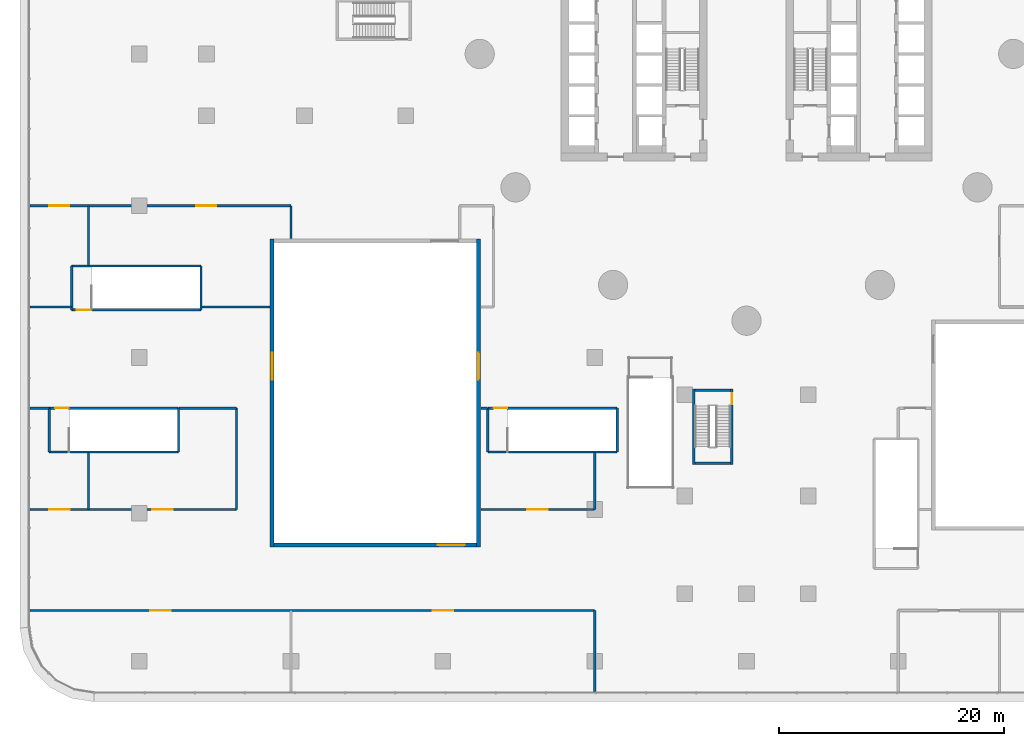
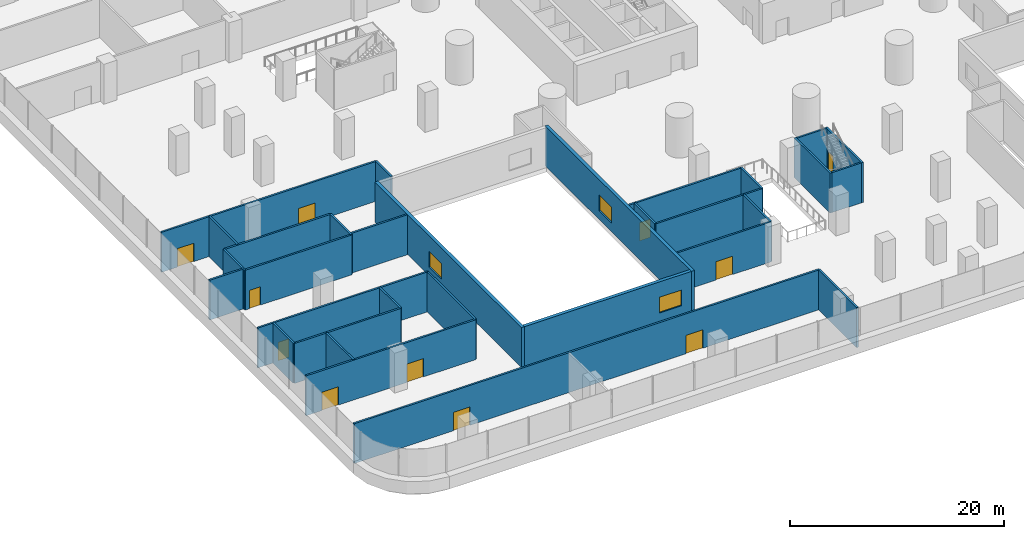
# One storey, part 23 of 38: 34 walls, 11 doors, 3 windows, 14 openings.
"""IFC4 building model written with IfcOpenShell, lengths in metres."""

from ifc_helpers import new_model, si_unit, direction, frame, frame_2d, origin, place, context, subcontext, project, spatial, polyline, rectangle, outline, extrude, material, layer, layer_set, type_object, element, fill, save


model = new_model("IFC4")

# Units and contexts
model_context = context("Model", 3, precision=1e-05, world=origin(), true_north=direction((0.0, 1.0)))
body_context = subcontext(model_context, "Body", "Model", "MODEL_VIEW")
ifc_project = project(units=[si_unit("LENGTHUNIT", "METRE"), si_unit("AREAUNIT", "SQUARE_METRE"), si_unit("VOLUMEUNIT", "CUBIC_METRE"), si_unit("PLANEANGLEUNIT", "RADIAN"), si_unit("MASSUNIT", "GRAM", prefix="KILO")], contexts=[model_context])

# Site, building, storey
site_placement = place(None, origin())
site = spatial("IfcSite", under=ifc_project, at=site_placement, CompositionType="ELEMENT")
building_placement = place(site_placement, origin())
building = spatial("IfcBuilding", under=site, at=building_placement, Name="Tamarind Cross Interchange Tower", CompositionType="ELEMENT")
storey_placement = place(building_placement, frame((0.0, 0.0, 20.0)))
storey = spatial("IfcBuildingStorey", under=building, at=storey_placement, Name="L03", CompositionType="ELEMENT", Elevation=20.0)

# Wall, openings, doors
ifc_material_1 = material(Name="Masonry partition, fire-rated", Category="masonry")
ifc_layer_1 = layer(ifc_material_1, 0.199951171875)
ifc_layer_set_1 = layer_set([ifc_layer_1], Name="Masonry partition, fire-rated")
wall_type_1 = type_object("IfcWallType", Name="Fire partition 200 EI 120", PredefinedType="PARTITIONING", material=ifc_layer_set_1)
wall_1_placement = place(storey_placement, frame((-63.698974609375, -49.5, 0.0), z_axis=(0.0, 0.0, 1.0), x_axis=(1.0, 0.0, 0.0)))
wall_1 = element("IfcWall", 1, at=wall_1_placement, inside=storey, type_object=wall_type_1, Name="L03 partition 49", PredefinedType="PARTITIONING", context=body_context, shape_type="SweptSolid", body=[
    extrude(rectangle(XDim=50.198974609375, YDim=0.199951171875, at=frame_2d((25.099609375, 0.0))), origin(), (0.0, 0.0, 1.0), 4.550048828125),
])
opening_1_placement = place(wall_1_placement, frame((35.80908203125, 0.0, 0.0)))
opening_1 = element("IfcOpeningElement", 2, at=opening_1_placement, cuts=wall_1, Name="Opening DL03-38", PredefinedType="OPENING", context=body_context, shape_type="SweptSolid", body=[
    extrude(rectangle(XDim=1.800048828125, YDim=2.10009765625, at=frame_2d((0.89990234375, 1.050048828125))), frame((0.0, 0.10986328125, 0.0), z_axis=(0.0, -1.0, 0.0), x_axis=(1.0, 0.0, 0.0)), (0.0, 0.0, 1.0), 0.219970703125),
])
opening_2_placement = place(wall_1_placement, frame((10.68896484375, 0.0, 0.0)))
opening_2 = element("IfcOpeningElement", 3, at=opening_2_placement, cuts=wall_1, Name="Opening DL03-39", PredefinedType="OPENING", context=body_context, shape_type="SweptSolid", body=[
    extrude(rectangle(XDim=1.800048828125, YDim=2.10009765625, at=frame_2d((0.89990234375, 1.050048828125))), frame((0.0, 0.10986328125, 0.0), z_axis=(0.0, -1.0, 0.0), x_axis=(1.0, 0.0, 0.0)), (0.0, 0.0, 1.0), 0.219970703125),
])
ifc_material_2 = material(Name="Steel, fire-resisting", Category="steel")
door_type_1 = type_object("IfcDoorType", Name="Podium door 1800 x 2100 FD60", OperationType="SINGLE_SWING_LEFT", PredefinedType="DOOR", material=ifc_material_2)
door_1_placement = place(opening_1_placement, origin())
door_1 = element("IfcDoor", 4, at=door_1_placement, inside=storey, type_object=door_type_1, Name="L03 door Health Clinic 0323", OperationType="SINGLE_SWING_RIGHT", OverallHeight=2.10009765625, OverallWidth=1.800048828125, PredefinedType="DOOR", context=body_context, shape_type="SweptSolid", body=[
    extrude(rectangle(XDim=1.800048828125, YDim=2.10009765625, at=frame_2d((0.89990234375, 1.050048828125))), frame((0.0, 0.02490234375, 0.0), z_axis=(0.0, -1.0, 0.0), x_axis=(1.0, 0.0, 0.0)), (0.0, 0.0, 1.0), 0.050048828125),
])
fill(opening_1, door_1)
door_2_placement = place(opening_2_placement, origin())
door_2 = element("IfcDoor", 5, at=door_2_placement, inside=storey, type_object=door_type_1, Name="L03 door Childcare Room 0324", OperationType="SINGLE_SWING_LEFT", OverallHeight=2.10009765625, OverallWidth=1.800048828125, PredefinedType="DOOR", context=body_context, shape_type="SweptSolid", body=[
    extrude(rectangle(XDim=1.800048828125, YDim=2.10009765625, at=frame_2d((0.89990234375, 1.050048828125))), frame((0.0, 0.02490234375, 0.0), z_axis=(0.0, -1.0, 0.0), x_axis=(1.0, 0.0, 0.0)), (0.0, 0.0, 1.0), 0.050048828125),
])
fill(opening_2, door_2)

wall_2_placement = place(storey_placement, frame((-63.698974609375, -40.5, 0.0), z_axis=(0.0, 0.0, 1.0), x_axis=(1.0, 0.0, 0.0)))
wall_2 = element("IfcWall", 6, at=wall_2_placement, inside=storey, type_object=wall_type_1, Name="L03 partition 50", PredefinedType="PARTITIONING", context=body_context, shape_type="SweptSolid", body=[
    extrude(rectangle(XDim=18.348876953125, YDim=0.199951171875, at=frame_2d((9.17431640625, 0.0))), origin(), (0.0, 0.0, 1.0), 4.550048828125),
])
opening_3_placement = place(wall_2_placement, frame((1.708984375, 0.0, 0.0)))
opening_3 = element("IfcOpeningElement", 7, at=opening_3_placement, cuts=wall_2, Name="Opening DL03-37", PredefinedType="OPENING", context=body_context, shape_type="SweptSolid", body=[
    extrude(rectangle(XDim=1.800048828125, YDim=2.10009765625, at=frame_2d((0.89990234375, 1.050048828125))), frame((0.0, 0.10986328125, 0.0), z_axis=(0.0, -1.0, 0.0), x_axis=(1.0, 0.0, 0.0)), (0.0, 0.0, 1.0), 0.219970703125),
])
opening_4_placement = place(wall_2_placement, frame((10.8740234375, 0.0, 0.0)))
opening_4 = element("IfcOpeningElement", 8, at=opening_4_placement, cuts=wall_2, Name="Opening DL03-40", PredefinedType="OPENING", context=body_context, shape_type="SweptSolid", body=[
    extrude(rectangle(XDim=1.800048828125, YDim=2.10009765625, at=frame_2d((0.89990234375, 1.050048828125))), frame((0.0, 0.10986328125, 0.0), z_axis=(0.0, -1.0, 0.0), x_axis=(1.0, 0.0, 0.0)), (0.0, 0.0, 1.0), 0.219970703125),
])
door_3_placement = place(opening_3_placement, origin())
door_3 = element("IfcDoor", 9, at=door_3_placement, inside=storey, type_object=door_type_1, Name="L03 door Training Room 0322", OperationType="SINGLE_SWING_LEFT", OverallHeight=2.10009765625, OverallWidth=1.800048828125, PredefinedType="DOOR", context=body_context, shape_type="SweptSolid", body=[
    extrude(rectangle(XDim=1.800048828125, YDim=2.10009765625, at=frame_2d((0.89990234375, 1.050048828125))), frame((0.0, 0.02490234375, 0.0), z_axis=(0.0, -1.0, 0.0), x_axis=(1.0, 0.0, 0.0)), (0.0, 0.0, 1.0), 0.050048828125),
])
fill(opening_3, door_3)
door_4_placement = place(opening_4_placement, origin())
door_4 = element("IfcDoor", 10, at=door_4_placement, inside=storey, type_object=door_type_1, Name="L03 door Transit Office 0321", OperationType="SINGLE_SWING_RIGHT", OverallHeight=2.10009765625, OverallWidth=1.800048828125, PredefinedType="DOOR", context=body_context, shape_type="SweptSolid", body=[
    extrude(rectangle(XDim=1.800048828125, YDim=2.10009765625, at=frame_2d((0.89990234375, 1.050048828125))), frame((0.0, 0.02490234375, 0.0), z_axis=(0.0, -1.0, 0.0), x_axis=(1.0, 0.0, 0.0)), (0.0, 0.0, 1.0), 0.050048828125),
])
fill(opening_4, door_4)

# Walls
wall_3_placement = place(storey_placement, frame((-63.698974609375, -31.5, 0.0), z_axis=(0.0, 0.0, 1.0), x_axis=(1.0, 0.0, 0.0)))
element("IfcWall", 11, at=wall_3_placement, inside=storey, type_object=wall_type_1, Name="L03 partition 51", PredefinedType="PARTITIONING", context=body_context, shape_type="SweptSolid", body=[
    extrude(rectangle(XDim=1.6689453125, YDim=0.199951171875, at=frame_2d((0.83447265625, 0.0))), origin(), (0.0, 0.0, 1.0), 4.550048828125),
])
wall_4_placement = place(storey_placement, frame((-63.698974609375, -22.5, 0.0), z_axis=(0.0, 0.0, 1.0), x_axis=(1.0, 0.0, 0.0)))
element("IfcWall", 12, at=wall_4_placement, inside=storey, type_object=wall_type_1, Name="L03 partition 52", PredefinedType="PARTITIONING", context=body_context, shape_type="SweptSolid", body=[
    extrude(rectangle(XDim=3.6689453125, YDim=0.199951171875, at=frame_2d((1.83447265625, 0.0))), origin(), (0.0, 0.0, 1.0), 4.550048828125),
])

# Wall, openings, doors
wall_5_placement = place(storey_placement, frame((-63.698974609375, -13.5, 0.0), z_axis=(0.0, 0.0, 1.0), x_axis=(1.0, 0.0, 0.0)))
wall_5 = element("IfcWall", 13, at=wall_5_placement, inside=storey, type_object=wall_type_1, Name="L03 partition 53", PredefinedType="PARTITIONING", context=body_context, shape_type="SweptSolid", body=[
    extrude(rectangle(XDim=23.198974609375, YDim=0.199951171875, at=frame_2d((11.599609375, 0.0))), origin(), (0.0, 0.0, 1.0), 4.550048828125),
])
opening_5_placement = place(wall_5_placement, frame((14.763916015625, 0.0, 0.0)))
opening_5 = element("IfcOpeningElement", 14, at=opening_5_placement, cuts=wall_5, Name="Opening DL03-34", PredefinedType="OPENING", context=body_context, shape_type="SweptSolid", body=[
    extrude(rectangle(XDim=1.800048828125, YDim=2.10009765625, at=frame_2d((0.89990234375, 1.050048828125))), frame((0.0, 0.10986328125, 0.0), z_axis=(0.0, -1.0, 0.0), x_axis=(1.0, 0.0, 0.0)), (0.0, 0.0, 1.0), 0.219970703125),
])
opening_6_placement = place(wall_5_placement, frame((1.68896484375, 0.0, 0.0)))
opening_6 = element("IfcOpeningElement", 15, at=opening_6_placement, cuts=wall_5, Name="Opening DL03-35", PredefinedType="OPENING", context=body_context, shape_type="SweptSolid", body=[
    extrude(rectangle(XDim=1.800048828125, YDim=2.10009765625, at=frame_2d((0.89990234375, 1.050048828125))), frame((0.0, 0.10986328125, 0.0), z_axis=(0.0, -1.0, 0.0), x_axis=(1.0, 0.0, 0.0)), (0.0, 0.0, 1.0), 0.219970703125),
])
door_5_placement = place(opening_5_placement, origin())
door_5 = element("IfcDoor", 16, at=door_5_placement, inside=storey, type_object=door_type_1, Name="L03 door Meeting Hall 0318", OperationType="SINGLE_SWING_RIGHT", OverallHeight=2.10009765625, OverallWidth=1.800048828125, PredefinedType="DOOR", context=body_context, shape_type="SweptSolid", body=[
    extrude(rectangle(XDim=1.800048828125, YDim=2.10009765625, at=frame_2d((0.89990234375, 1.050048828125))), frame((0.0, 0.02490234375, 0.0), z_axis=(0.0, -1.0, 0.0), x_axis=(1.0, 0.0, 0.0)), (0.0, 0.0, 1.0), 0.050048828125),
])
fill(opening_5, door_5)
door_6_placement = place(opening_6_placement, origin())
door_6 = element("IfcDoor", 17, at=door_6_placement, inside=storey, type_object=door_type_1, Name="L03 door Exhibition Gallery 0319", OperationType="SINGLE_SWING_LEFT", OverallHeight=2.10009765625, OverallWidth=1.800048828125, PredefinedType="DOOR", context=body_context, shape_type="SweptSolid", body=[
    extrude(rectangle(XDim=1.800048828125, YDim=2.10009765625, at=frame_2d((0.89990234375, 1.050048828125))), frame((0.0, 0.02490234375, 0.0), z_axis=(0.0, -1.0, 0.0), x_axis=(1.0, 0.0, 0.0)), (0.0, 0.0, 1.0), 0.050048828125),
])
fill(opening_6, door_6)

# Walls
wall_6_placement = place(storey_placement, frame((-50.469970703125, -31.5, 0.0), z_axis=(0.0, 0.0, 1.0), x_axis=(1.0, 0.0, 0.0)))
element("IfcWall", 18, at=wall_6_placement, inside=storey, type_object=wall_type_1, Name="L03 partition 59", PredefinedType="PARTITIONING", context=body_context, shape_type="SweptSolid", body=[
    extrude(rectangle(XDim=5.119873046875, YDim=0.199951171875, at=frame_2d((2.56005859375, 0.0))), origin(), (0.0, 0.0, 1.0), 4.550048828125),
])
wall_7_placement = place(storey_placement, frame((-45.35009765625, -40.5, 0.0), z_axis=(0.0, 0.0, 1.0), x_axis=(0.0, 1.0, 0.0)))
element("IfcWall", 19, at=wall_7_placement, inside=storey, type_object=wall_type_1, Name="L03 partition 60", PredefinedType="PARTITIONING", context=body_context, shape_type="SweptSolid", body=[
    extrude(rectangle(XDim=9.0, YDim=0.199951171875, at=frame_2d((4.5, 0.0))), origin(), (0.0, 0.0, 1.0), 4.550048828125),
])
wall_8_placement = place(storey_placement, frame((-58.5, -40.5, 0.0), z_axis=(0.0, 0.0, 1.0), x_axis=(0.0, 1.0, 0.0)))
element("IfcWall", 20, at=wall_8_placement, inside=storey, type_object=wall_type_1, Name="L03 partition 61", PredefinedType="PARTITIONING", context=body_context, shape_type="SweptSolid", body=[
    extrude(rectangle(XDim=5.070068359375, YDim=0.199951171875, at=frame_2d((2.53515625, 0.0))), origin(), (0.0, 0.0, 1.0), 4.550048828125),
])
wall_9_placement = place(storey_placement, frame((-58.5, -18.820068359375, 0.0), z_axis=(0.0, 0.0, 1.0), x_axis=(0.0, 1.0, 0.0)))
element("IfcWall", 21, at=wall_9_placement, inside=storey, type_object=wall_type_1, Name="L03 partition 62", PredefinedType="PARTITIONING", context=body_context, shape_type="SweptSolid", body=[
    extrude(rectangle(XDim=5.320068359375, YDim=0.199951171875, at=frame_2d((2.66015625, 0.0))), origin(), (0.0, 0.0, 1.0), 4.550048828125),
])
wall_10_placement = place(storey_placement, frame((-40.5, -16.419921875, 0.0), z_axis=(0.0, 0.0, 1.0), x_axis=(0.0, 1.0, 0.0)))
element("IfcWall", 22, at=wall_10_placement, inside=storey, type_object=wall_type_1, Name="L03 partition 63", PredefinedType="PARTITIONING", context=body_context, shape_type="SweptSolid", body=[
    extrude(rectangle(XDim=2.919921875, YDim=0.199951171875, at=frame_2d((1.4599609375, 0.0))), origin(), (0.0, 0.0, 1.0), 4.550048828125),
])
wall_11_placement = place(storey_placement, frame((-48.469970703125, -22.5, 0.0), z_axis=(0.0, 0.0, 1.0), x_axis=(1.0, 0.0, 0.0)))
element("IfcWall", 23, at=wall_11_placement, inside=storey, type_object=wall_type_1, Name="L03 partition 67", PredefinedType="PARTITIONING", context=body_context, shape_type="SweptSolid", body=[
    extrude(rectangle(XDim=6.090087890625, YDim=0.199951171875, at=frame_2d((3.044921875, 0.0))), origin(), (0.0, 0.0, 1.0), 4.550048828125),
])
wall_12_placement = place(storey_placement, frame((-13.5, -56.698974609375, 0.0), z_axis=(0.0, 0.0, 1.0), x_axis=(0.0, 1.0, 0.0)))
element("IfcWall", 24, at=wall_12_placement, inside=storey, type_object=wall_type_1, Name="L03 partition 69", PredefinedType="PARTITIONING", context=body_context, shape_type="SweptSolid", body=[
    extrude(rectangle(XDim=7.198974609375, YDim=0.199951171875, at=frame_2d((3.599609375, 0.0))), origin(), (0.0, 0.0, 1.0), 4.550048828125),
])
wall_13_placement = place(storey_placement, frame((-13.5, -40.5, 0.0), z_axis=(0.0, 0.0, 1.0), x_axis=(0.0, 1.0, 0.0)))
element("IfcWall", 25, at=wall_13_placement, inside=storey, type_object=wall_type_1, Name="L03 partition 77", PredefinedType="PARTITIONING", context=body_context, shape_type="SweptSolid", body=[
    extrude(rectangle(XDim=5.070068359375, YDim=0.199951171875, at=frame_2d((2.53515625, 0.0))), origin(), (0.0, 0.0, 1.0), 4.550048828125),
])

# Wall, opening, door
wall_14_placement = place(storey_placement, frame((-23.6201171875, -40.5, 0.0), z_axis=(0.0, 0.0, 1.0), x_axis=(1.0, 0.0, 0.0)))
wall_14 = element("IfcWall", 26, at=wall_14_placement, inside=storey, type_object=wall_type_1, Name="L03 partition 78", PredefinedType="PARTITIONING", context=body_context, shape_type="SweptSolid", body=[
    extrude(rectangle(XDim=10.1201171875, YDim=0.199951171875, at=frame_2d((5.06005859375, 0.0))), origin(), (0.0, 0.0, 1.0), 4.550048828125),
])
opening_7_placement = place(wall_14_placement, frame((4.14501953125, 0.0, 0.0)))
opening_7 = element("IfcOpeningElement", 27, at=opening_7_placement, cuts=wall_14, Name="Opening DL03-36", PredefinedType="OPENING", context=body_context, shape_type="SweptSolid", body=[
    extrude(rectangle(XDim=1.800048828125, YDim=2.10009765625, at=frame_2d((0.89990234375, 1.050048828125))), frame((0.0, 0.10986328125, 0.0), z_axis=(0.0, -1.0, 0.0), x_axis=(1.0, 0.0, 0.0)), (0.0, 0.0, 1.0), 0.219970703125),
])
door_7_placement = place(opening_7_placement, origin())
door_7 = element("IfcDoor", 28, at=door_7_placement, inside=storey, type_object=door_type_1, Name="L03 door Childcare Room 0320", OperationType="SINGLE_SWING_RIGHT", OverallHeight=2.10009765625, OverallWidth=1.800048828125, PredefinedType="DOOR", context=body_context, shape_type="SweptSolid", body=[
    extrude(rectangle(XDim=1.800048828125, YDim=2.10009765625, at=frame_2d((0.89990234375, 1.050048828125))), frame((0.0, 0.02490234375, 0.0), z_axis=(0.0, -1.0, 0.0), x_axis=(1.0, 0.0, 0.0)), (0.0, 0.0, 1.0), 0.050048828125),
])
fill(opening_7, door_7)

# Wall
wall_15_placement = place(storey_placement, frame((-23.6201171875, -31.5, 0.0), z_axis=(0.0, 0.0, 1.0), x_axis=(1.0, 0.0, 0.0)))
element("IfcWall", 29, at=wall_15_placement, inside=storey, type_object=wall_type_1, Name="L03 partition 79", PredefinedType="PARTITIONING", context=body_context, shape_type="SweptSolid", body=[
    extrude(rectangle(XDim=0.590087890625, YDim=0.199951171875, at=frame_2d((0.294921875, 0.0))), origin(), (0.0, 0.0, 1.0), 4.550048828125),
])

# Wall, opening, window
ifc_material_3 = material(Name="Precast concrete C40", Category="concrete")
ifc_layer_2 = layer(ifc_material_3, 0.35009765625)
ifc_layer_set_2 = layer_set([ifc_layer_2], Name="Precast concrete C40")
wall_type_2 = type_object("IfcWallType", Name="Podium facade wall", PredefinedType="SOLIDWALL", material=ifc_layer_set_2)
wall_16_placement = place(storey_placement, frame((-42.0, -43.675048828125, 0.0), z_axis=(0.0, 0.0, 1.0), x_axis=(1.0, 0.0, 0.0)))
wall_16 = element("IfcWall", 30, at=wall_16_placement, inside=storey, type_object=wall_type_2, Name="CTW-L03-SWS00", PredefinedType="SOLIDWALL", context=body_context, shape_type="SweptSolid", body=[
    extrude(rectangle(XDim=18.0, YDim=0.35009765625, at=frame_2d((9.0, 0.0))), origin(), (0.0, 0.0, 1.0), 4.550048828125),
])
opening_8_placement = place(wall_16_placement, frame((14.550048828125, 0.0, 1.0)))
opening_8 = element("IfcOpeningElement", 31, at=opening_8_placement, cuts=wall_16, Name="Opening W4", PredefinedType="OPENING", context=body_context, shape_type="SweptSolid", body=[
    extrude(rectangle(XDim=2.39990234375, YDim=1.800048828125, at=frame_2d((1.199951171875, 0.89990234375))), frame((0.0, 0.18505859375, 0.0), z_axis=(0.0, -1.0, 0.0), x_axis=(1.0, 0.0, 0.0)), (0.0, 0.0, 1.0), 0.3701171875),
])
ifc_material_4 = material(Name="Aluminium and toughened glass", Category="aluminium")
window_type = type_object("IfcWindowType", Name="Podium daylight window", PartitioningType="SINGLE_PANEL", PredefinedType="WINDOW", material=ifc_material_4)
window_1_placement = place(opening_8_placement, origin())
window_1 = element("IfcWindow", 32, at=window_1_placement, inside=storey, type_object=window_type, Name="CTX-L03-SWS-01-00", OverallHeight=1.800048828125, OverallWidth=2.39990234375, PartitioningType="SINGLE_PANEL", PredefinedType="WINDOW", context=body_context, shape_type="SweptSolid", body=[
    extrude(rectangle(XDim=2.39990234375, YDim=1.800048828125, at=frame_2d((1.199951171875, 0.89990234375))), frame((0.0, 0.030029296875, 0.0), z_axis=(0.0, -1.0, 0.0), x_axis=(1.0, 0.0, 0.0)), (0.0, 0.0, 1.0), 0.06005859375),
])
fill(opening_8, window_1)

wall_17_placement = place(storey_placement, frame((-42.175048828125, -43.85009765625, 0.0), z_axis=(0.0, 0.0, 1.0), x_axis=(0.0, 1.0, 0.0)))
wall_17 = element("IfcWall", 33, at=wall_17_placement, inside=storey, type_object=wall_type_2, Name="CTW-L03-SWW00", PredefinedType="SOLIDWALL", context=body_context, shape_type="SweptSolid", body=[
    extrude(rectangle(XDim=27.400146484375, YDim=0.35009765625, at=frame_2d((13.7001953125, 0.0))), origin(), (0.0, 0.0, 1.0), 4.550048828125),
])
opening_9_placement = place(wall_17_placement, frame((14.89990234375, 0.0, 1.0)))
opening_9 = element("IfcOpeningElement", 34, at=opening_9_placement, cuts=wall_17, Name="Opening W4", PredefinedType="OPENING", context=body_context, shape_type="SweptSolid", body=[
    extrude(rectangle(XDim=2.39990234375, YDim=1.800048828125, at=frame_2d((1.199951171875, 0.89990234375))), frame((0.0, 0.18505859375, 0.0), z_axis=(0.0, -1.0, 0.0), x_axis=(1.0, 0.0, 0.0)), (0.0, 0.0, 1.0), 0.3701171875),
])
window_2_placement = place(opening_9_placement, origin())
window_2 = element("IfcWindow", 35, at=window_2_placement, inside=storey, type_object=window_type, Name="CTX-L03-SWW-01-00", OverallHeight=1.800048828125, OverallWidth=2.39990234375, PartitioningType="SINGLE_PANEL", PredefinedType="WINDOW", context=body_context, shape_type="SweptSolid", body=[
    extrude(rectangle(XDim=2.39990234375, YDim=1.800048828125, at=frame_2d((1.199951171875, 0.89990234375))), frame((0.0, 0.030029296875, 0.0), z_axis=(0.0, -1.0, 0.0), x_axis=(1.0, 0.0, 0.0)), (0.0, 0.0, 1.0), 0.06005859375),
])
fill(opening_9, window_2)

wall_18_placement = place(storey_placement, frame((-23.824951171875, -43.85009765625, 0.0), z_axis=(0.0, 0.0, 1.0), x_axis=(0.0, 1.0, 0.0)))
wall_18 = element("IfcWall", 36, at=wall_18_placement, inside=storey, type_object=wall_type_2, Name="CTW-L03-SWE00", PredefinedType="SOLIDWALL", context=body_context, shape_type="SweptSolid", body=[
    extrude(rectangle(XDim=27.400146484375, YDim=0.35009765625, at=frame_2d((13.7001953125, 0.0))), origin(), (0.0, 0.0, 1.0), 4.550048828125),
])
opening_10_placement = place(wall_18_placement, frame((14.89990234375, 0.0, 1.0)))
opening_10 = element("IfcOpeningElement", 37, at=opening_10_placement, cuts=wall_18, Name="Opening W4", PredefinedType="OPENING", context=body_context, shape_type="SweptSolid", body=[
    extrude(rectangle(XDim=2.39990234375, YDim=1.800048828125, at=frame_2d((1.199951171875, 0.89990234375))), frame((0.0, 0.18505859375, 0.0), z_axis=(0.0, -1.0, 0.0), x_axis=(1.0, 0.0, 0.0)), (0.0, 0.0, 1.0), 0.3701171875),
])
window_3_placement = place(opening_10_placement, origin())
window_3 = element("IfcWindow", 38, at=window_3_placement, inside=storey, type_object=window_type, Name="CTX-L03-SWE-01-00", OverallHeight=1.800048828125, OverallWidth=2.39990234375, PartitioningType="SINGLE_PANEL", PredefinedType="WINDOW", context=body_context, shape_type="SweptSolid", body=[
    extrude(rectangle(XDim=2.39990234375, YDim=1.800048828125, at=frame_2d((1.199951171875, 0.89990234375))), frame((0.0, 0.030029296875, 0.0), z_axis=(0.0, -1.0, 0.0), x_axis=(1.0, 0.0, 0.0)), (0.0, 0.0, 1.0), 0.06005859375),
])
fill(opening_10, window_3)

# Wall, opening, door
ifc_material_5 = material(Name="Concrete C40", Category="concrete")
ifc_layer_3 = layer(ifc_material_5, 0.199951171875)
ifc_layer_set_3 = layer_set([ifc_layer_3], Name="Concrete C40")
wall_type_3 = type_object("IfcWallType", Name="Stair shaft wall 200 EI 180", PredefinedType="PARTITIONING", material=ifc_layer_set_3)
wall_19_placement = place(storey_placement, frame((-62.0, -31.5, 0.0), z_axis=(0.0, 0.0, 1.0), x_axis=(1.0, 0.0, 0.0)))
wall_19 = element("IfcWall", 39, at=wall_19_placement, inside=storey, type_object=wall_type_3, Name="L03 stair shaft wall 5", PredefinedType="PARTITIONING", context=body_context, shape_type="SweptSolid", body=[
    extrude(rectangle(XDim=11.5, YDim=0.199951171875, at=frame_2d((5.75, 0.0))), origin(), (0.0, 0.0, 1.0), 4.550048828125),
])
opening_11_placement = place(wall_19_placement, frame((0.52001953125, 0.0, 0.0)))
opening_11 = element("IfcOpeningElement", 40, at=opening_11_placement, cuts=wall_19, Name="Opening DL03-07", PredefinedType="OPENING", context=body_context, shape_type="SweptSolid", body=[
    extrude(rectangle(XDim=1.199951171875, YDim=2.10009765625, at=frame_2d((0.60009765625, 1.050048828125))), frame((0.0, 0.10986328125, 0.0), z_axis=(0.0, -1.0, 0.0), x_axis=(1.0, 0.0, 0.0)), (0.0, 0.0, 1.0), 0.219970703125),
])
door_type_2 = type_object("IfcDoorType", Name="Podium door 1200 x 2100 FD90", OperationType="SINGLE_SWING_LEFT", PredefinedType="DOOR", material=ifc_material_2)
door_8_placement = place(opening_11_placement, origin())
door_8 = element("IfcDoor", 41, at=door_8_placement, inside=storey, type_object=door_type_2, Name="L03 door Exit Stair PX7", OperationType="SINGLE_SWING_LEFT", OverallHeight=2.10009765625, OverallWidth=1.199951171875, PredefinedType="DOOR", context=body_context, shape_type="SweptSolid", body=[
    extrude(rectangle(XDim=1.199951171875, YDim=2.10009765625, at=frame_2d((0.60009765625, 1.050048828125))), frame((0.0, 0.02490234375, 0.0), z_axis=(0.0, -1.0, 0.0), x_axis=(1.0, 0.0, 0.0)), (0.0, 0.0, 1.0), 0.050048828125),
])
fill(opening_11, door_8)

# Walls
wall_20_placement = place(storey_placement, frame((-50.5, -35.39990234375, 0.0), z_axis=(0.0, 0.0, 1.0), x_axis=(0.0, 1.0, 0.0)))
element("IfcWall", 42, at=wall_20_placement, inside=storey, type_object=wall_type_3, Name="L03 stair shaft wall 6", PredefinedType="PARTITIONING", context=body_context, shape_type="SweptSolid", body=[
    extrude(rectangle(XDim=3.89990234375, YDim=0.199951171875, at=frame_2d((1.949951171875, 0.0))), origin(), (0.0, 0.0, 1.0), 4.550048828125),
])
wall_21_placement = place(storey_placement, frame((-62.0, -35.39990234375, 0.0), z_axis=(0.0, 0.0, 1.0), x_axis=(1.0, 0.0, 0.0)))
element("IfcWall", 43, at=wall_21_placement, inside=storey, type_object=wall_type_3, Name="L03 stair shaft wall 7", PredefinedType="PARTITIONING", context=body_context, shape_type="SweptSolid", body=[
    extrude(rectangle(XDim=11.5, YDim=0.199951171875, at=frame_2d((5.75, 0.0))), origin(), (0.0, 0.0, 1.0), 4.550048828125),
])
wall_22_placement = place(storey_placement, frame((-62.0, -35.39990234375, 0.0), z_axis=(0.0, 0.0, 1.0), x_axis=(0.0, 1.0, 0.0)))
element("IfcWall", 44, at=wall_22_placement, inside=storey, type_object=wall_type_3, Name="L03 stair shaft wall 8", PredefinedType="PARTITIONING", context=body_context, shape_type="SweptSolid", body=[
    extrude(rectangle(XDim=3.89990234375, YDim=0.199951171875, at=frame_2d((1.949951171875, 0.0))), origin(), (0.0, 0.0, 1.0), 4.550048828125),
])
wall_23_placement = place(storey_placement, frame((-60.0, -18.85009765625, 0.0), z_axis=(0.0, 0.0, 1.0), x_axis=(1.0, 0.0, 0.0)))
element("IfcWall", 45, at=wall_23_placement, inside=storey, type_object=wall_type_3, Name="L03 stair shaft wall 9", PredefinedType="PARTITIONING", context=body_context, shape_type="SweptSolid", body=[
    extrude(rectangle(XDim=11.5, YDim=0.199951171875, at=frame_2d((5.75, 0.0))), origin(), (0.0, 0.0, 1.0), 4.550048828125),
])
wall_24_placement = place(storey_placement, frame((-48.5, -22.75, 0.0), z_axis=(0.0, 0.0, 1.0), x_axis=(0.0, 1.0, 0.0)))
element("IfcWall", 46, at=wall_24_placement, inside=storey, type_object=wall_type_3, Name="L03 stair shaft wall 10", PredefinedType="PARTITIONING", context=body_context, shape_type="SweptSolid", body=[
    extrude(rectangle(XDim=3.89990234375, YDim=0.199951171875, at=frame_2d((1.949951171875, 0.0))), origin(), (0.0, 0.0, 1.0), 4.550048828125),
])

# Wall, opening, door
wall_25_placement = place(storey_placement, frame((-60.0, -22.75, 0.0), z_axis=(0.0, 0.0, 1.0), x_axis=(1.0, 0.0, 0.0)))
wall_25 = element("IfcWall", 47, at=wall_25_placement, inside=storey, type_object=wall_type_3, Name="L03 stair shaft wall 11", PredefinedType="PARTITIONING", context=body_context, shape_type="SweptSolid", body=[
    extrude(rectangle(XDim=11.5, YDim=0.199951171875, at=frame_2d((5.75, 0.0))), origin(), (0.0, 0.0, 1.0), 4.550048828125),
])
opening_12_placement = place(wall_25_placement, frame((0.43896484375, 0.0, 0.0)))
opening_12 = element("IfcOpeningElement", 48, at=opening_12_placement, cuts=wall_25, Name="Opening DL03-08", PredefinedType="OPENING", context=body_context, shape_type="SweptSolid", body=[
    extrude(rectangle(XDim=1.199951171875, YDim=2.10009765625, at=frame_2d((0.60009765625, 1.050048828125))), frame((0.0, 0.10986328125, 0.0), z_axis=(0.0, -1.0, 0.0), x_axis=(1.0, 0.0, 0.0)), (0.0, 0.0, 1.0), 0.219970703125),
])
door_9_placement = place(opening_12_placement, origin())
door_9 = element("IfcDoor", 49, at=door_9_placement, inside=storey, type_object=door_type_2, Name="L03 door Exit Stair PX8", OperationType="SINGLE_SWING_RIGHT", OverallHeight=2.10009765625, OverallWidth=1.199951171875, PredefinedType="DOOR", context=body_context, shape_type="SweptSolid", body=[
    extrude(rectangle(XDim=1.199951171875, YDim=2.10009765625, at=frame_2d((0.60009765625, 1.050048828125))), frame((0.0, 0.02490234375, 0.0), z_axis=(0.0, -1.0, 0.0), x_axis=(1.0, 0.0, 0.0)), (0.0, 0.0, 1.0), 0.050048828125),
])
fill(opening_12, door_9)

# Wall
wall_26_placement = place(storey_placement, frame((-60.0, -22.75, 0.0), z_axis=(0.0, 0.0, 1.0), x_axis=(0.0, 1.0, 0.0)))
element("IfcWall", 50, at=wall_26_placement, inside=storey, type_object=wall_type_3, Name="L03 stair shaft wall 12", PredefinedType="PARTITIONING", context=body_context, shape_type="SweptSolid", body=[
    extrude(rectangle(XDim=3.89990234375, YDim=0.199951171875, at=frame_2d((1.949951171875, 0.0))), origin(), (0.0, 0.0, 1.0), 4.550048828125),
])

# Wall, opening, door
wall_27_placement = place(storey_placement, frame((-23.0, -31.5, 0.0), z_axis=(0.0, 0.0, 1.0), x_axis=(1.0, 0.0, 0.0)))
wall_27 = element("IfcWall", 51, at=wall_27_placement, inside=storey, type_object=wall_type_3, Name="L03 stair shaft wall 17", PredefinedType="PARTITIONING", context=body_context, shape_type="SweptSolid", body=[
    extrude(rectangle(XDim=11.5, YDim=0.199951171875, at=frame_2d((5.75, 0.0))), origin(), (0.0, 0.0, 1.0), 4.550048828125),
])
opening_13_placement = place(wall_27_placement, frame((0.52001953125, 0.0, 0.0)))
opening_13 = element("IfcOpeningElement", 52, at=opening_13_placement, cuts=wall_27, Name="Opening DL03-09", PredefinedType="OPENING", context=body_context, shape_type="SweptSolid", body=[
    extrude(rectangle(XDim=1.199951171875, YDim=2.10009765625, at=frame_2d((0.60009765625, 1.050048828125))), frame((0.0, 0.10986328125, 0.0), z_axis=(0.0, -1.0, 0.0), x_axis=(1.0, 0.0, 0.0)), (0.0, 0.0, 1.0), 0.219970703125),
])
door_10_placement = place(opening_13_placement, origin())
door_10 = element("IfcDoor", 53, at=door_10_placement, inside=storey, type_object=door_type_2, Name="L03 door Exit Stair PX9", OperationType="SINGLE_SWING_LEFT", OverallHeight=2.10009765625, OverallWidth=1.199951171875, PredefinedType="DOOR", context=body_context, shape_type="SweptSolid", body=[
    extrude(rectangle(XDim=1.199951171875, YDim=2.10009765625, at=frame_2d((0.60009765625, 1.050048828125))), frame((0.0, 0.02490234375, 0.0), z_axis=(0.0, -1.0, 0.0), x_axis=(1.0, 0.0, 0.0)), (0.0, 0.0, 1.0), 0.050048828125),
])
fill(opening_13, door_10)

# Walls
wall_28_placement = place(storey_placement, frame((-11.5, -35.39990234375, 0.0), z_axis=(0.0, 0.0, 1.0), x_axis=(0.0, 1.0, 0.0)))
element("IfcWall", 54, at=wall_28_placement, inside=storey, type_object=wall_type_3, Name="L03 stair shaft wall 18", PredefinedType="PARTITIONING", context=body_context, shape_type="SweptSolid", body=[
    extrude(rectangle(XDim=3.89990234375, YDim=0.199951171875, at=frame_2d((1.949951171875, 0.0))), origin(), (0.0, 0.0, 1.0), 4.550048828125),
])
wall_29_placement = place(storey_placement, frame((-23.0, -35.39990234375, 0.0), z_axis=(0.0, 0.0, 1.0), x_axis=(1.0, 0.0, 0.0)))
element("IfcWall", 55, at=wall_29_placement, inside=storey, type_object=wall_type_3, Name="L03 stair shaft wall 19", PredefinedType="PARTITIONING", context=body_context, shape_type="SweptSolid", body=[
    extrude(rectangle(XDim=11.5, YDim=0.199951171875, at=frame_2d((5.75, 0.0))), origin(), (0.0, 0.0, 1.0), 4.550048828125),
])
wall_30_placement = place(storey_placement, frame((-23.0, -35.39990234375, 0.0), z_axis=(0.0, 0.0, 1.0), x_axis=(0.0, 1.0, 0.0)))
element("IfcWall", 56, at=wall_30_placement, inside=storey, type_object=wall_type_3, Name="L03 stair shaft wall 20", PredefinedType="PARTITIONING", context=body_context, shape_type="SweptSolid", body=[
    extrude(rectangle(XDim=3.89990234375, YDim=0.199951171875, at=frame_2d((1.949951171875, 0.0))), origin(), (0.0, 0.0, 1.0), 4.550048828125),
])

# Wall, opening, door
ifc_layer_4 = layer(ifc_material_5, 0.199951171875)
ifc_layer_set_4 = layer_set([ifc_layer_4], Name="Concrete C40")
wall_type_4 = type_object("IfcWallType", Name="Stair shaft wall 200 mm Concrete C40", PredefinedType="SHEAR", material=ifc_layer_set_4)
wall_31_placement = place(storey_placement, frame((-1.300048828125, -29.800048828125, 0.0), z_axis=(0.0, 0.0, 1.0), x_axis=(0.0, -1.0, 0.0)))
wall_31 = element("IfcWall", 57, at=wall_31_placement, inside=storey, type_object=wall_type_4, Name="Core wall CWL-L03-ST6-H", PredefinedType="SHEAR", context=body_context, shape_type="SweptSolid", body=[
    extrude(rectangle(XDim=6.699951171875, YDim=0.199951171875, at=frame_2d((3.35009765625, 0.0))), origin(), (0.0, 0.0, 1.0), 4.550048828125),
])
opening_14_placement = place(wall_31_placement, frame((0.35009765625, 0.0, 0.0)))
opening_14 = element("IfcOpeningElement", 58, at=opening_14_placement, cuts=wall_31, Name="Opening ST6L03", PredefinedType="OPENING", context=body_context, shape_type="SweptSolid", body=[
    extrude(rectangle(XDim=1.0, YDim=2.10009765625, at=frame_2d((0.5, 1.050048828125))), frame((0.0, 0.10986328125, 0.0), z_axis=(0.0, -1.0, 0.0), x_axis=(1.0, 0.0, 0.0)), (0.0, 0.0, 1.0), 0.219970703125),
])
door_type_3 = type_object("IfcDoorType", Name="Core fire door 1000 x 2100 FD90", OperationType="SINGLE_SWING_LEFT", PredefinedType="DOOR", material=ifc_material_2)
door_11_placement = place(opening_14_placement, origin())
door_11 = element("IfcDoor", 59, at=door_11_placement, inside=storey, type_object=door_type_3, Name="L03 stair door ST6", OperationType="SINGLE_SWING_LEFT", OverallHeight=2.10009765625, OverallWidth=1.0, PredefinedType="DOOR", context=body_context, shape_type="SweptSolid", body=[
    extrude(rectangle(XDim=1.0, YDim=2.10009765625, at=frame_2d((0.5, 1.050048828125))), frame((0.0, 0.02490234375, 0.0), z_axis=(0.0, -1.0, 0.0), x_axis=(1.0, 0.0, 0.0)), (0.0, 0.0, 1.0), 0.050048828125),
])
fill(opening_14, door_11)

# Walls
wall_32_placement = place(storey_placement, frame((-4.699951171875, -29.800048828125, 0.0), z_axis=(0.0, 0.0, 1.0), x_axis=(0.0, -1.0, 0.0)))
element("IfcWall", 60, at=wall_32_placement, inside=storey, type_object=wall_type_4, Name="Core wall CWL-L03-ST6-C", PredefinedType="SHEAR", context=body_context, shape_type="SweptSolid", body=[
    extrude(rectangle(XDim=6.699951171875, YDim=0.199951171875, at=frame_2d((3.35009765625, 0.0))), origin(), (0.0, 0.0, 1.0), 4.550048828125),
])
wall_33_placement = place(storey_placement, frame((-4.60009765625, -29.89990234375, 0.0), z_axis=(0.0, 0.0, 1.0), x_axis=(1.0, 0.0, 0.0)))
element("IfcWall", 61, at=wall_33_placement, inside=storey, type_object=wall_type_4, Name="Core wall CWL-L03-ST6-CE", PredefinedType="SHEAR", context=body_context, shape_type="SweptSolid", body=[
    extrude(rectangle(XDim=3.2001953125, YDim=0.199951171875, at=frame_2d((1.60009765625, 0.0))), origin(), (0.0, 0.0, 1.0), 4.550048828125),
])
wall_34_placement = place(storey_placement, origin())
element("IfcWall", 62, at=wall_34_placement, inside=storey, type_object=wall_type_4, Name="Core wall CWL-L03-ST6-CF", PredefinedType="SHEAR", context=body_context, shape_type="SweptSolid", body=[
    extrude(outline(polyline([(-4.60009765625, -36.300048828125), (-4.60009765625, -36.5), (-1.39990234375, -36.5), (-1.39990234375, -36.300048828125), (-4.60009765625, -36.300048828125)])), origin(), (0.0, 0.0, 1.0), 4.550048828125),
])

save(model, "model.ifc")
